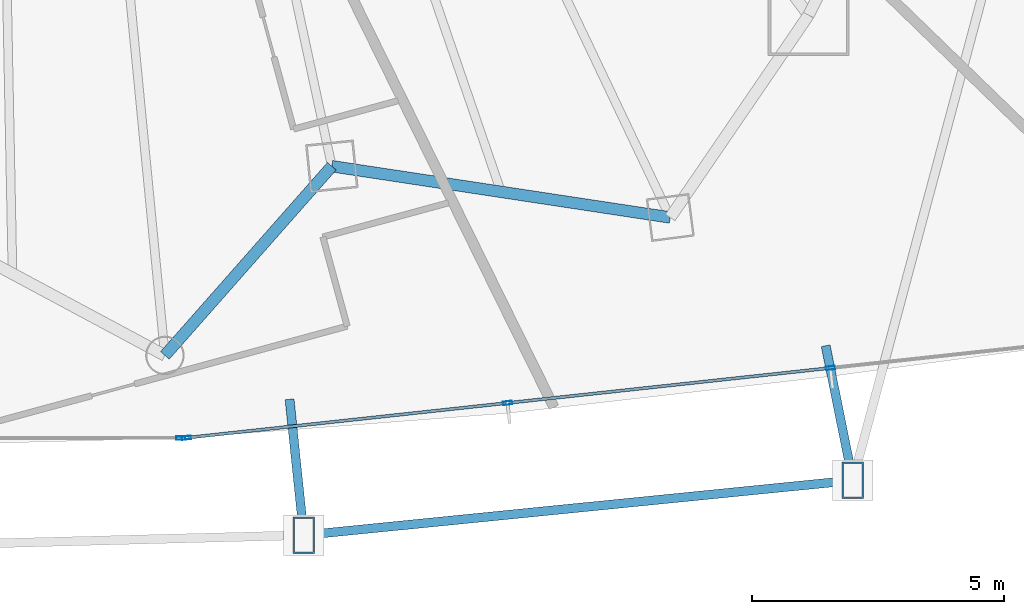
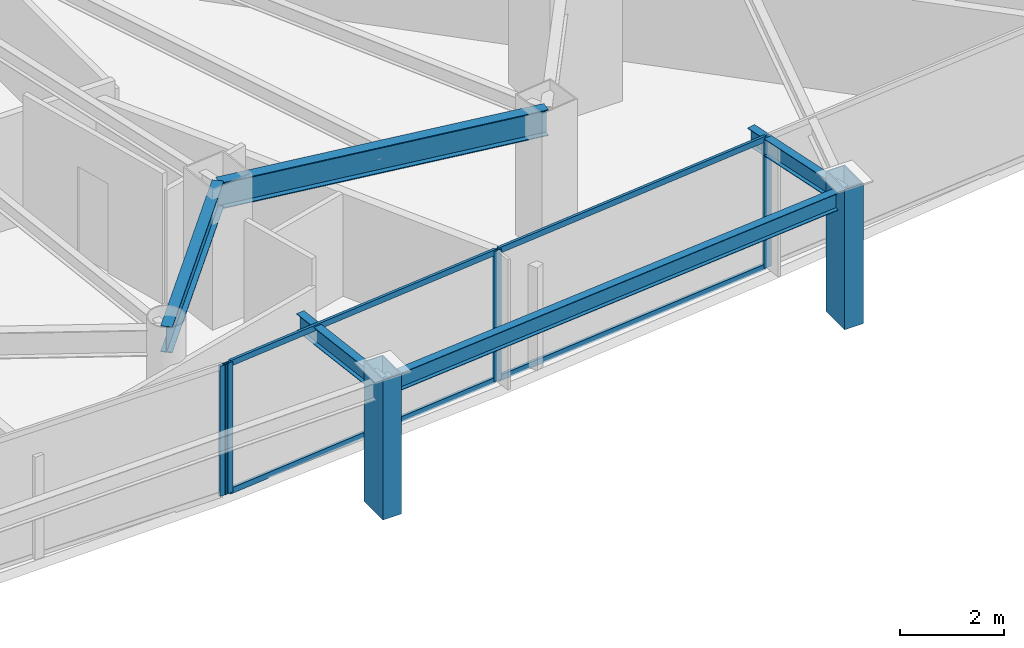
# One storey, part 12 of 33: 10 members, 5 beams, 2 elements without a shape of their own.
"""IFC4 building model written with IfcOpenShell, lengths in metres."""

from ifc_helpers import new_model, si_unit, direction, frame, origin, origin_2d, place, context, subcontext, project, spatial, hollow_rectangle, i_section, extrude, material, layer, layer_set, material_profile, profile_set, type_object, element, aggregate, save


model = new_model("IFC4")

# Units and contexts
model_context = context("Model", 3, precision=1e-05, world=origin(), true_north=direction((0.0, 1.0)))
body_context = subcontext(model_context, "Body", "Model", "MODEL_VIEW")
ifc_project = project(units=[si_unit("LENGTHUNIT", "METRE"), si_unit("AREAUNIT", "SQUARE_METRE"), si_unit("VOLUMEUNIT", "CUBIC_METRE"), si_unit("PLANEANGLEUNIT", "RADIAN"), si_unit("MASSUNIT", "GRAM", prefix="KILO")], contexts=[model_context])

# Site, building, storey
site_placement = place(None, origin())
site = spatial("IfcSite", under=ifc_project, at=site_placement, CompositionType="ELEMENT")
building_placement = place(site_placement, origin())
building = spatial("IfcBuilding", under=site, at=building_placement, Name="Orvanel Arch Residences", CompositionType="ELEMENT")
storey_placement = place(building_placement, frame((0.0, 0.0, 70.85009765625)))
storey = spatial("IfcBuildingStorey", under=building, at=storey_placement, Name="L19", CompositionType="ELEMENT", Elevation=70.85009765625)

# Members
ifc_material_1 = material(Name="Structural steel AS/NZS 3678 Grade 350", Category="steel")
ifc_material_profile_1 = material_profile(ifc_material_1, hollow_rectangle(XDim=0.419921875, YDim=0.719970703125, WallThickness=0.02490234375, at=origin_2d()), Name="RHS720x420x25")
ifc_profile_set_1 = profile_set([ifc_material_profile_1], Name="Structural steel AS/NZS 3678 Grade 350")
member_type_1 = type_object("IfcMemberType", Name="CH-720RHS-EXT", PredefinedType="CHORD", material=ifc_profile_set_1)
for number, where, z_axis, x_axis, name in (
    (1, (41.794921875, 0.0419921875, 0.0), (0.0, 0.0, 1.0), (1.0, 0.0, 0.0), "L19 Outer Perimeter Frame Post 07"),
    (2, (52.677978515625, 1.12890625, 0.0), (0.0, 0.0, 1.0), (1.0, 0.0, 0.0), "L19 Outer Perimeter Frame Post 08"),
):
    element("IfcMember", number, at=place(storey_placement, frame(where, z_axis=z_axis, x_axis=x_axis)), inside=storey, type_object=member_type_1, Name=name, PredefinedType="CHORD", context=body_context, shape_type="SweptSolid", body=[
        extrude(hollow_rectangle(XDim=0.419921875, YDim=0.719970703125, WallThickness=0.02490234375, at=origin_2d()), origin(), (0.0, 0.0, 1.0), 3.2998046875),
    ])

# Curtain wall, member
ifc_material_2 = material(Name="Bronze-anodised aluminium AA6063-T6", Category="aluminium")
ifc_layer = layer(ifc_material_2, 0.179931640625)
ifc_layer_set = layer_set([ifc_layer], Name="Bronze-anodised aluminium AA6063-T6")
curtain_wall_type = type_object("IfcCurtainWallType", Name="CW2-LOW-SYS", PredefinedType="NOTDEFINED", material=ifc_layer_set)
curtain_wall_1_placement = place(storey_placement, origin())
curtain_wall_1 = element("IfcCurtainWall", 3, at=curtain_wall_1_placement, inside=storey, type_object=curtain_wall_type, Name="L19 CW2-LOW-SYS Unitised Curtain Wall", PredefinedType="NOTDEFINED")
ifc_material_profile_2 = material_profile(ifc_material_2, hollow_rectangle(XDim=0.070068359375, YDim=0.179931640625, WallThickness=0.00439453125, at=origin_2d()), Name="ALU180x70x4.5")
ifc_profile_set_2 = profile_set([ifc_material_profile_2], Name="Bronze-anodised aluminium AA6063-T6")
member_type_2 = type_object("IfcMemberType", Name="MUL-180x70", PredefinedType="MULLION", material=ifc_profile_set_2)
member_1_placement = place(storey_placement, frame((39.35791015625, 1.966064453125, 0.0), z_axis=(0.0, 0.0, 1.0), x_axis=(0.0, 1.0, 0.0)))
member_1 = element("IfcMember", 4, at=member_1_placement, type_object=member_type_2, Name="CW-S2 mullion 3", PredefinedType="MULLION", context=body_context, shape_type="SweptSolid", body=[
    extrude(hollow_rectangle(XDim=0.070068359375, YDim=0.179931640625, WallThickness=0.00439453125, at=origin_2d()), origin(), (0.0, 0.0, 1.0), 3.059814453125),
])
aggregate(curtain_wall_1, [member_1])

# Curtain wall, members
curtain_wall_2_placement = place(storey_placement, origin())
curtain_wall_2 = element("IfcCurtainWall", 5, at=curtain_wall_2_placement, inside=storey, type_object=curtain_wall_type, Name="L19 CW2-LOW-SYS Unitised Curtain Wall", PredefinedType="NOTDEFINED")
member_2_placement = place(storey_placement, frame((39.4677734375, 1.9716796875, 0.0), z_axis=(0.0, 0.0, 1.0), x_axis=(-0.107811076303, 0.994171399622, 0.0)))
member_2 = element("IfcMember", 6, at=member_2_placement, type_object=member_type_2, Name="CW-S2 mullion 1", PredefinedType="MULLION", context=body_context, shape_type="SweptSolid", body=[
    extrude(hollow_rectangle(XDim=0.070068359375, YDim=0.179931640625, WallThickness=0.00439453125, at=origin_2d()), origin(), (0.0, 0.0, 1.0), 3.059814453125),
])
member_3_placement = place(storey_placement, frame((45.832763671875, 2.662109375, 0.0), z_axis=(0.0, 0.0, 1.0), x_axis=(-0.107811076303, 0.994171399622, 0.0)))
member_3 = element("IfcMember", 7, at=member_3_placement, type_object=member_type_2, Name="CW-S2 mullion 2", PredefinedType="MULLION", context=body_context, shape_type="SweptSolid", body=[
    extrude(hollow_rectangle(XDim=0.070068359375, YDim=0.179931640625, WallThickness=0.00439453125, at=origin_2d()), origin(), (0.0, 0.0, 1.0), 3.059814453125),
])
member_4_placement = place(storey_placement, frame((52.232421875, 3.35595703125, 0.0), z_axis=(0.0, 0.0, 1.0), x_axis=(-0.107811076303, 0.994171399622, 0.0)))
member_4 = element("IfcMember", 8, at=member_4_placement, type_object=member_type_2, Name="CW-S2 mullion 3", PredefinedType="MULLION", context=body_context, shape_type="SweptSolid", body=[
    extrude(hollow_rectangle(XDim=0.070068359375, YDim=0.179931640625, WallThickness=0.00439453125, at=origin_2d()), origin(), (0.0, 0.0, 1.0), 3.059814453125),
])

# Beams
ifc_material_3 = material(Name="Structural steel AS/NZS 3679.1 Grade 300 (300 MPa)", Category="steel")
ifc_material_profile_3 = material_profile(ifc_material_3, i_section(OverallWidth=0.177978515625, OverallDepth=0.406005859375, WebThickness=0.0078125, FlangeThickness=0.0126953125, at=origin_2d()), Name="410UB59.7")
ifc_profile_set_3 = profile_set([ifc_material_profile_3], Name="Structural steel AS/NZS 3679.1 Grade 300 (300 MPa)")
beam_type_1 = type_object("IfcBeamType", Name="OB-410UB-EXT", PredefinedType="SPANDREL", material=ifc_profile_set_3)
beam_1_placement = place(storey_placement, frame((41.512939453125, 2.735107421875, 2.85693359375), z_axis=(0.104135652612, -0.994563103003, 0.0), x_axis=(0.994563103003, 0.104135652612, 0.0)))
element("IfcBeam", 9, at=beam_1_placement, inside=storey, type_object=beam_type_1, Name="L19 Outer Frame Radial Tie Beam 07", PredefinedType="SPANDREL", context=body_context, shape_type="SweptSolid", body=[
    extrude(i_section(OverallWidth=0.177978515625, OverallDepth=0.406005859375, WebThickness=0.0078125, FlangeThickness=0.0126953125, at=origin_2d()), origin(), (0.0, 0.0, 1.0), 2.707763671875),
])
beam_2_placement = place(storey_placement, frame((41.794921875, 0.0419921875, 2.85693359375), z_axis=(0.995049779825, 0.099377742329, 0.0), x_axis=(-0.099377742329, 0.995049779825, 0.0)))
element("IfcBeam", 10, at=beam_2_placement, inside=storey, type_object=beam_type_1, Name="L19 Outer Perimeter Floor Ring Beam 07", PredefinedType="SPANDREL", context=body_context, shape_type="SweptSolid", body=[
    extrude(i_section(OverallWidth=0.177978515625, OverallDepth=0.406005859375, WebThickness=0.0078125, FlangeThickness=0.0126953125, at=origin_2d()), origin(), (0.0, 0.0, 1.0), 10.937255859375),
])
beam_3_placement = place(storey_placement, frame((52.139892578125, 3.798095703125, 2.85693359375), z_axis=(0.19761602731, -0.980279503892, 0.0), x_axis=(0.980279503892, 0.19761602731, 0.0)))
element("IfcBeam", 11, at=beam_3_placement, inside=storey, type_object=beam_type_1, Name="L19 Outer Frame Radial Tie Beam 08", PredefinedType="SPANDREL", context=body_context, shape_type="SweptSolid", body=[
    extrude(i_section(OverallWidth=0.177978515625, OverallDepth=0.406005859375, WebThickness=0.0078125, FlangeThickness=0.0126953125, at=origin_2d()), origin(), (0.0, 0.0, 1.0), 2.722900390625),
])
ifc_material_profile_4 = material_profile(ifc_material_3, i_section(OverallWidth=0.22900390625, OverallDepth=0.612060546875, WebThickness=0.011962890625, FlangeThickness=0.01953125, at=origin_2d()), Name="610UB125")
ifc_profile_set_4 = profile_set([ifc_material_profile_4], Name="Structural steel AS/NZS 3679.1 Grade 300 (300 MPa)")
beam_type_2 = type_object("IfcBeamType", Name="SP-610UB", PredefinedType="SPANDREL", material=ifc_profile_set_4)
beam_4_placement = place(storey_placement, frame((39.0419921875, 3.60498046875, 2.75390625), z_axis=(0.661650698195, 0.749812212209, 0.0), x_axis=(-0.749812212209, 0.661650698195, 0.0)))
element("IfcBeam", 12, at=beam_4_placement, inside=storey, type_object=beam_type_2, Name="L19 Perimeter Spandrel Beam 08", PredefinedType="SPANDREL", context=body_context, shape_type="SweptSolid", body=[
    extrude(i_section(OverallWidth=0.22900390625, OverallDepth=0.612060546875, WebThickness=0.011962890625, FlangeThickness=0.01953125, at=origin_2d()), origin(), (0.0, 0.0, 1.0), 5.001220703125),
])
beam_5_placement = place(storey_placement, frame((42.35107421875, 7.35498046875, 2.75390625), z_axis=(0.988726323014, -0.149733958002, 0.0), x_axis=(0.149733958002, 0.988726323014, 0.0)))
element("IfcBeam", 13, at=beam_5_placement, inside=storey, type_object=beam_type_2, Name="L19 Perimeter Spandrel Beam 09", PredefinedType="SPANDREL", context=body_context, shape_type="SweptSolid", body=[
    extrude(i_section(OverallWidth=0.22900390625, OverallDepth=0.612060546875, WebThickness=0.011962890625, FlangeThickness=0.01953125, at=origin_2d()), origin(), (0.0, 0.0, 1.0), 6.784423828125),
])

# Member
ifc_material_profile_5 = material_profile(ifc_material_2, hollow_rectangle(XDim=0.06005859375, YDim=0.135009765625, WallThickness=0.00390625, at=origin_2d()), Name="ALU135x60x4")
ifc_profile_set_5 = profile_set([ifc_material_profile_5], Name="Bronze-anodised aluminium AA6063-T6")
member_type_3 = type_object("IfcMemberType", Name="TRN-135x60", PredefinedType="USERDEFINED", material=ifc_profile_set_5)
member_5_placement = place(storey_placement, frame((39.502685546875, 1.9755859375, 0.02978515625), z_axis=(0.994172253267, 0.107803204194, 0.0), x_axis=(-0.107803204194, 0.994172253267, 0.0)))
member_5 = element("IfcMember", 14, at=member_5_placement, type_object=member_type_3, Name="CW-S2 transom 1.1", ObjectType="TRANSOM", PredefinedType="USERDEFINED", context=body_context, shape_type="SweptSolid", body=[
    extrude(hollow_rectangle(XDim=0.06005859375, YDim=0.135009765625, WallThickness=0.00390625, at=origin_2d()), origin(), (0.0, 0.0, 1.0), 6.33203125),
])

member_6_placement = place(storey_placement, frame((39.502685546875, 1.9755859375, 3.02978515625), z_axis=(0.994172253267, 0.107803204194, 0.0), x_axis=(-0.107803204194, 0.994172253267, 0.0)))
member_6 = element("IfcMember", 15, at=member_6_placement, type_object=member_type_3, Name="CW-S2 transom 1.2", ObjectType="TRANSOM", PredefinedType="USERDEFINED", context=body_context, shape_type="SweptSolid", body=[
    extrude(hollow_rectangle(XDim=0.06005859375, YDim=0.135009765625, WallThickness=0.00390625, at=origin_2d()), origin(), (0.0, 0.0, 1.0), 6.33203125),
])

member_7_placement = place(storey_placement, frame((45.867431640625, 2.665771484375, 0.02978515625), z_axis=(0.994170223939, 0.107821917221, 0.0), x_axis=(-0.107821917221, 0.994170223939, 0.0)))
member_7 = element("IfcMember", 16, at=member_7_placement, type_object=member_type_3, Name="CW-S2 transom 2.1", ObjectType="TRANSOM", PredefinedType="USERDEFINED", context=body_context, shape_type="SweptSolid", body=[
    extrude(hollow_rectangle(XDim=0.06005859375, YDim=0.135009765625, WallThickness=0.00390625, at=origin_2d()), origin(), (0.0, 0.0, 1.0), 6.3671875),
])

member_8_placement = place(storey_placement, frame((45.867431640625, 2.665771484375, 3.02978515625), z_axis=(0.994170223939, 0.107821917221, 0.0), x_axis=(-0.107821917221, 0.994170223939, 0.0)))
member_8 = element("IfcMember", 17, at=member_8_placement, type_object=member_type_3, Name="CW-S2 transom 2.2", ObjectType="TRANSOM", PredefinedType="USERDEFINED", context=body_context, shape_type="SweptSolid", body=[
    extrude(hollow_rectangle(XDim=0.06005859375, YDim=0.135009765625, WallThickness=0.00390625, at=origin_2d()), origin(), (0.0, 0.0, 1.0), 6.3671875),
])

aggregate(curtain_wall_2, [member_2, member_3, member_4, member_5, member_6, member_7, member_8])

save(model, "model.ifc")
